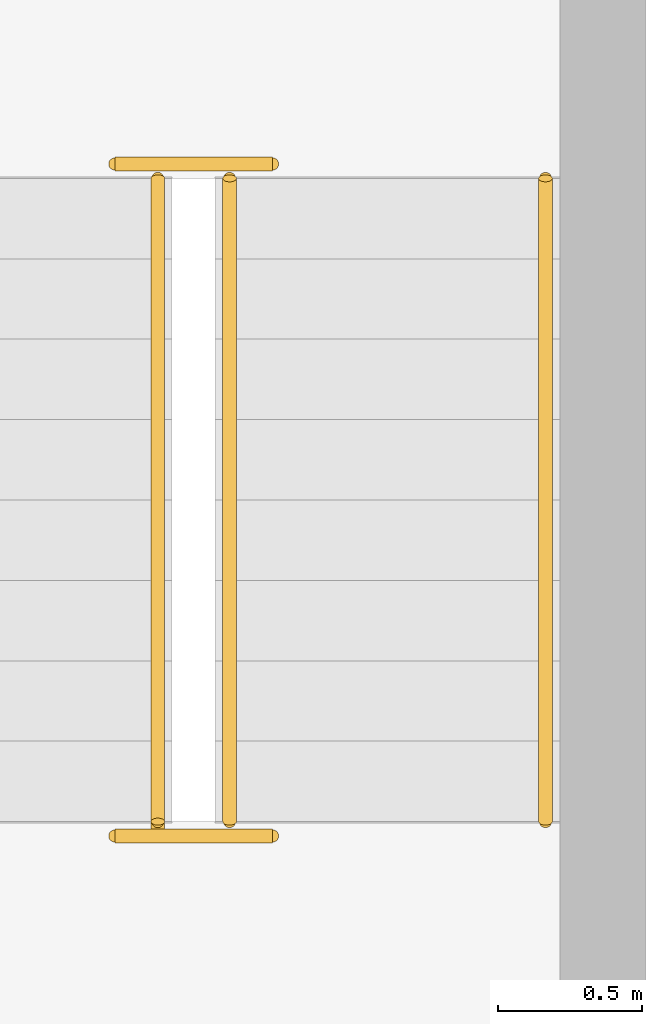
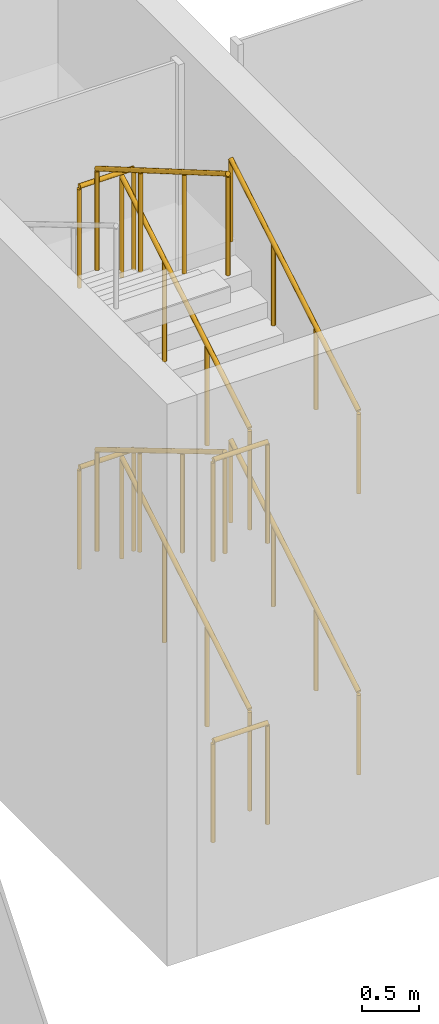
# One storey, part 17 of 19: 10 railings.
"""IFC4 building model written with IfcOpenShell, lengths in metres."""

from ifc_helpers import new_model, si_unit, direction, frame, origin, origin_2d, place, context, subcontext, project, spatial, circle, extrude, material, type_object, element, save


model = new_model("IFC4")

# Units and contexts
model_context = context("Model", 3, precision=1e-05, world=origin(), true_north=direction((0.0, 1.0)))
body_context = subcontext(model_context, "Body", "Model", "MODEL_VIEW")
ifc_project = project(units=[si_unit("LENGTHUNIT", "METRE"), si_unit("AREAUNIT", "SQUARE_METRE"), si_unit("VOLUMEUNIT", "CUBIC_METRE"), si_unit("PLANEANGLEUNIT", "RADIAN"), si_unit("MASSUNIT", "GRAM", prefix="KILO")], contexts=[model_context])

# Site, building, storey
site_placement = place(None, origin())
site = spatial("IfcSite", under=ifc_project, at=site_placement, CompositionType="ELEMENT")
building_placement = place(site_placement, origin())
building = spatial("IfcBuilding", under=site, at=building_placement, Name="Plateau Cross Towers", CompositionType="ELEMENT")
storey_placement = place(building_placement, frame((0.0, 0.0, 128.60009765625)))
storey = spatial("IfcBuildingStorey", under=building, at=storey_placement, Name="L33", CompositionType="ELEMENT", Elevation=128.60009765625)

# Railings
ifc_material_1 = material(Name="Stainless steel and toughened glass", Category="steel")
railing_type_1 = type_object("IfcRailingType", Name="RL-GUARD-1100", PredefinedType="GUARDRAIL", material=ifc_material_1)
railing_1_placement = place(storey_placement, frame((9.125, 46.5, 0.16650390625)))
element("IfcRailing", 1, at=railing_1_placement, inside=storey, type_object=railing_type_1, Name="L33 ES-N stair guard 1", PredefinedType="GUARDRAIL", context=body_context, shape_type="SweptSolid", body=[
    extrude(circle(Radius=0.02392578125, at=origin_2d()), frame((0.0, 0.0, 1.076171875), z_axis=(0.0, 0.859264461869, 0.511531606619), x_axis=(-1.0, 0.0, 0.0)), (0.0, 0.0, 1.0), 2.60693359375),
    extrude(circle(Radius=0.02099609375, at=origin_2d()), origin(), (0.0, 0.0, 1.0), 1.052001953125),
    extrude(circle(Radius=0.02099609375, at=origin_2d()), frame((0.0, 0.74658203125, 0.444580078125)), (0.0, 0.0, 1.0), 1.052001953125),
    extrude(circle(Radius=0.02099609375, at=origin_2d()), frame((0.0, 1.493408203125, 0.888916015625)), (0.0, 0.0, 1.0), 1.052001953125),
    extrude(circle(Radius=0.02099609375, at=origin_2d()), frame((0.0, 2.239990234375, 1.33349609375)), (0.0, 0.0, 1.0), 1.052001953125),
])
railing_2_placement = place(storey_placement, frame((9.27490234375, 48.7900390625, 1.5)))
element("IfcRailing", 2, at=railing_2_placement, inside=storey, type_object=railing_type_1, Name="L33 ES-N stair guard 2", PredefinedType="GUARDRAIL", context=body_context, shape_type="SweptSolid", body=[
    extrude(circle(Radius=0.02392578125, at=origin_2d()), frame((0.0, 0.0, 1.076171875), z_axis=(-1.0, 0.0, 0.0), x_axis=(0.0, -1.0, 0.0)), (0.0, 0.0, 1.0), 0.5498046875),
    extrude(circle(Radius=0.02099609375, at=origin_2d()), origin(), (0.0, 0.0, 1.0), 1.052001953125),
    extrude(circle(Radius=0.02099609375, at=origin_2d()), frame((-0.5498046875, 0.0, 0.0)), (0.0, 0.0, 1.0), 1.052001953125),
])
railing_3_placement = place(storey_placement, frame((8.875, 48.739990234375, 1.66650390625)))
element("IfcRailing", 3, at=railing_3_placement, inside=storey, type_object=railing_type_1, Name="L33 ES-N stair guard 3", PredefinedType="GUARDRAIL", context=body_context, shape_type="SweptSolid", body=[
    extrude(circle(Radius=0.02392578125, at=origin_2d()), frame((0.0, 0.0, 1.076171875), z_axis=(0.0, -0.859264461869, 0.511531606619), x_axis=(1.0, 0.0, 0.0)), (0.0, 0.0, 1.0), 2.60693359375),
    extrude(circle(Radius=0.02099609375, at=origin_2d()), origin(), (0.0, 0.0, 1.0), 1.052001953125),
    extrude(circle(Radius=0.02099609375, at=origin_2d()), frame((0.0, -0.74658203125, 0.444580078125)), (0.0, 0.0, 1.0), 1.052001953125),
    extrude(circle(Radius=0.02099609375, at=origin_2d()), frame((0.0, -1.493408203125, 0.888916015625)), (0.0, 0.0, 1.0), 1.052001953125),
    extrude(circle(Radius=0.02099609375, at=origin_2d()), frame((0.0, -2.239990234375, 1.33349609375)), (0.0, 0.0, 1.0), 1.052001953125),
])
railing_4_placement = place(storey_placement, frame((9.27490234375, 46.449951171875, 3.0)))
element("IfcRailing", 4, at=railing_4_placement, inside=storey, type_object=railing_type_1, Name="L33 ES-N stair guard 4", PredefinedType="GUARDRAIL", context=body_context, shape_type="SweptSolid", body=[
    extrude(circle(Radius=0.02392578125, at=origin_2d()), frame((0.0, 0.0, 1.076171875), z_axis=(-1.0, 0.0, 0.0), x_axis=(0.0, -1.0, 0.0)), (0.0, 0.0, 1.0), 0.5498046875),
    extrude(circle(Radius=0.02099609375, at=origin_2d()), origin(), (0.0, 0.0, 1.0), 1.052001953125),
    extrude(circle(Radius=0.02099609375, at=origin_2d()), frame((-0.5498046875, 0.0, 0.0)), (0.0, 0.0, 1.0), 1.052001953125),
])
railing_5_placement = place(storey_placement, frame((9.125, 46.5, 3.16650390625)))
element("IfcRailing", 5, at=railing_5_placement, inside=storey, type_object=railing_type_1, Name="L33 ES-N stair guard 5", PredefinedType="GUARDRAIL", context=body_context, shape_type="SweptSolid", body=[
    extrude(circle(Radius=0.02392578125, at=origin_2d()), frame((0.0, 0.0, 1.076171875), z_axis=(0.0, 0.859264461869, 0.511531606619), x_axis=(-1.0, 0.0, 0.0)), (0.0, 0.0, 1.0), 2.60693359375),
    extrude(circle(Radius=0.02099609375, at=origin_2d()), origin(), (0.0, 0.0, 1.0), 1.052001953125),
    extrude(circle(Radius=0.02099609375, at=origin_2d()), frame((0.0, 0.74658203125, 0.444580078125)), (0.0, 0.0, 1.0), 1.052001953125),
    extrude(circle(Radius=0.02099609375, at=origin_2d()), frame((0.0, 1.493408203125, 0.888916015625)), (0.0, 0.0, 1.0), 1.052001953125),
    extrude(circle(Radius=0.02099609375, at=origin_2d()), frame((0.0, 2.239990234375, 1.33349609375)), (0.0, 0.0, 1.0), 1.052001953125),
])
railing_6_placement = place(storey_placement, frame((9.27490234375, 48.7900390625, 4.5)))
element("IfcRailing", 6, at=railing_6_placement, inside=storey, type_object=railing_type_1, Name="L33 ES-N stair guard 6", PredefinedType="GUARDRAIL", context=body_context, shape_type="SweptSolid", body=[
    extrude(circle(Radius=0.02392578125, at=origin_2d()), frame((0.0, 0.0, 1.076171875), z_axis=(-1.0, 0.0, 0.0), x_axis=(0.0, -1.0, 0.0)), (0.0, 0.0, 1.0), 0.5498046875),
    extrude(circle(Radius=0.02099609375, at=origin_2d()), origin(), (0.0, 0.0, 1.0), 1.052001953125),
    extrude(circle(Radius=0.02099609375, at=origin_2d()), frame((-0.5498046875, 0.0, 0.0)), (0.0, 0.0, 1.0), 1.052001953125),
])
railing_7_placement = place(storey_placement, frame((8.875, 48.739990234375, 4.66650390625)))
element("IfcRailing", 7, at=railing_7_placement, inside=storey, type_object=railing_type_1, Name="L33 ES-N stair guard 7", PredefinedType="GUARDRAIL", context=body_context, shape_type="SweptSolid", body=[
    extrude(circle(Radius=0.02392578125, at=origin_2d()), frame((0.0, 0.0, 1.076171875), z_axis=(0.0, -0.864166253726, 0.503206404888), x_axis=(1.0, 0.0, 0.0)), (0.0, 0.0, 1.0), 2.64990234375),
    extrude(circle(Radius=0.02099609375, at=origin_2d()), origin(), (0.0, 0.0, 1.0), 1.052001953125),
    extrude(circle(Radius=0.02099609375, at=origin_2d()), frame((0.0, -0.763427734375, 0.444580078125)), (0.0, 0.0, 1.0), 1.052001953125),
    extrude(circle(Radius=0.02099609375, at=origin_2d()), frame((0.0, -1.526611328125, 0.888916015625)), (0.0, 0.0, 1.0), 1.052001953125),
    extrude(circle(Radius=0.02099609375, at=origin_2d()), frame((0.0, -2.2900390625, 1.33349609375)), (0.0, 0.0, 1.0), 1.052001953125),
])
railing_8_placement = place(storey_placement, frame((9.27490234375, 46.449951171875, 0.0)))
element("IfcRailing", 8, at=railing_8_placement, inside=storey, type_object=railing_type_1, Name="L33 ES-N stair guard 8", PredefinedType="GUARDRAIL", context=body_context, shape_type="SweptSolid", body=[
    extrude(circle(Radius=0.02392578125, at=origin_2d()), frame((0.0, 0.0, 1.076171875), z_axis=(-1.0, 0.0, 0.0), x_axis=(0.0, -1.0, 0.0)), (0.0, 0.0, 1.0), 0.5498046875),
    extrude(circle(Radius=0.02099609375, at=origin_2d()), origin(), (0.0, 0.0, 1.0), 1.052001953125),
    extrude(circle(Radius=0.02099609375, at=origin_2d()), frame((-0.5498046875, 0.0, 0.0)), (0.0, 0.0, 1.0), 1.052001953125),
])
ifc_material_2 = material(Name="Black anodised aluminium", Category="aluminium")
railing_type_2 = type_object("IfcRailingType", Name="RL-HANDRAIL-900", PredefinedType="HANDRAIL", material=ifc_material_2)
for number, where, name in (
    (9, (10.22509765625, 46.5, 0.16650390625), "L33 ES-N stair handrail 1"),
    (10, (10.22509765625, 46.5, 3.16650390625), "L33 ES-N stair handrail 3"),
):
    element("IfcRailing", number, at=place(storey_placement, frame(where)), inside=storey, type_object=railing_type_2, Name=name, PredefinedType="HANDRAIL", context=body_context, shape_type="SweptSolid", body=[
        extrude(circle(Radius=0.02392578125, at=origin_2d()), frame((0.0, 0.0, 0.8759765625), z_axis=(0.0, 0.859264461869, 0.511531606619), x_axis=(-1.0, 0.0, 0.0)), (0.0, 0.0, 1.0), 2.60693359375),
        extrude(circle(Radius=0.02099609375, at=origin_2d()), origin(), (0.0, 0.0, 1.0), 0.851806640625),
        extrude(circle(Radius=0.02099609375, at=origin_2d()), frame((0.0, 0.74658203125, 0.444580078125)), (0.0, 0.0, 1.0), 0.851806640625),
        extrude(circle(Radius=0.02099609375, at=origin_2d()), frame((0.0, 1.493408203125, 0.888916015625)), (0.0, 0.0, 1.0), 0.851806640625),
        extrude(circle(Radius=0.02099609375, at=origin_2d()), frame((0.0, 2.239990234375, 1.33349609375)), (0.0, 0.0, 1.0), 0.851806640625),
    ])

save(model, "model.ifc")
